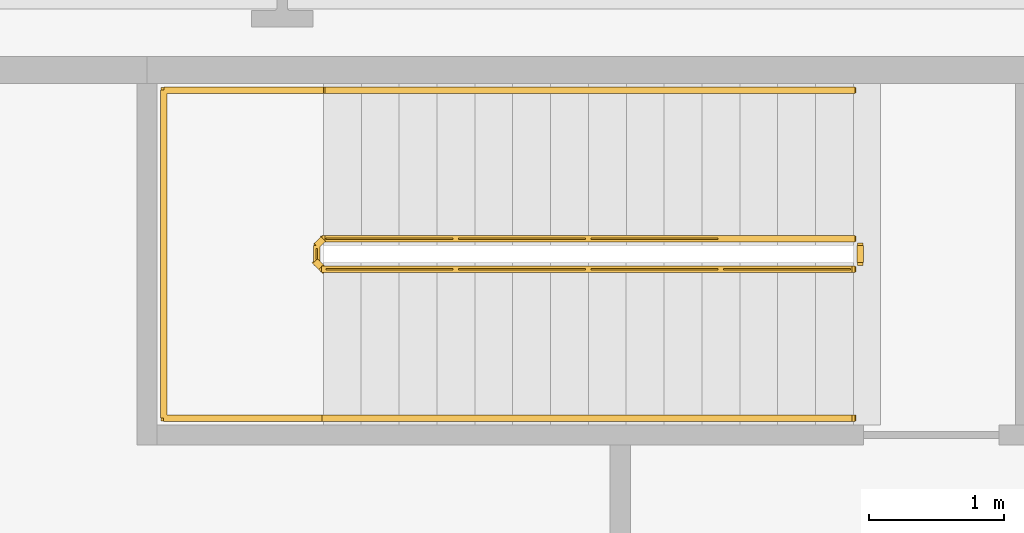
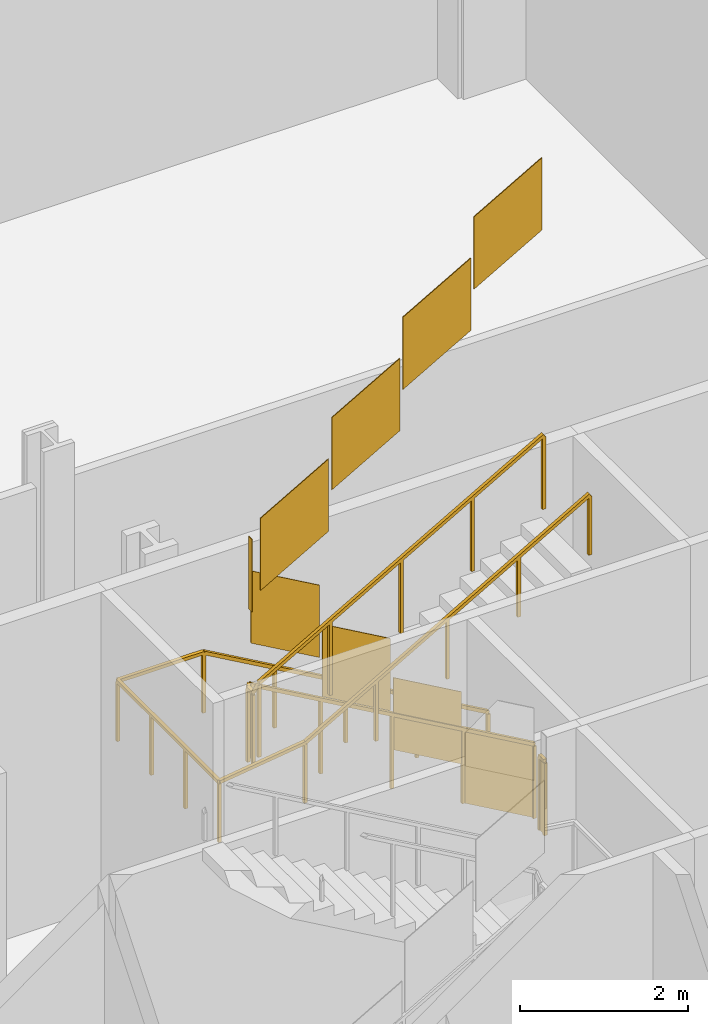
# One storey, part 23 of 25: 3 railings.
"""IFC4 building model written with IfcOpenShell, lengths in metres."""

from ifc_helpers import new_model, si_unit, direction, frame, origin, origin_2d, place, context, subcontext, project, spatial, polyline, rectangle, outline, extrude, material, type_object, element, save


model = new_model("IFC4")

# Units and contexts
model_context = context("Model", 3, precision=1e-05, world=origin(), true_north=direction((0.0, 1.0)))
body_context = subcontext(model_context, "Body", "Model", "MODEL_VIEW")
ifc_project = project(units=[si_unit("LENGTHUNIT", "METRE"), si_unit("AREAUNIT", "SQUARE_METRE"), si_unit("VOLUMEUNIT", "CUBIC_METRE"), si_unit("PLANEANGLEUNIT", "RADIAN"), si_unit("MASSUNIT", "GRAM", prefix="KILO")], contexts=[model_context])

# Site, building, storey
site_placement = place(None, origin())
site = spatial("IfcSite", under=ifc_project, at=site_placement, CompositionType="ELEMENT")
building_placement = place(site_placement, origin())
building = spatial("IfcBuilding", under=site, at=building_placement, Name="Cairn Pilgrim Tower", CompositionType="ELEMENT")
storey_placement = place(building_placement, frame((0.0, 0.0, 30.60009765625)))
storey = spatial("IfcBuildingStorey", under=building, at=storey_placement, Name="L05", CompositionType="ELEMENT", Elevation=30.60009765625)

# Railings
ifc_material = material(Name="Painted steel", Category="steel")
railing_type_1 = type_object("IfcRailingType", Name="STAIR GUARD 1100", PredefinedType="GUARDRAIL", material=ifc_material)
railing_1_placement = place(storey_placement, frame((11.425048828125, 8.949951171875, 0.159912109375)))
element("IfcRailing", 1, at=railing_1_placement, inside=storey, type_object=railing_type_1, Name="L05 ST-C stair guard 1", PredefinedType="GUARDRAIL", context=body_context, shape_type="SweptSolid", body=[
    extrude(rectangle(XDim=0.048095703125, YDim=0.048095703125, at=origin_2d()), frame((0.0, 0.0, 1.076171875), z_axis=(-0.86825312469, 0.0, 0.496121468458), x_axis=(0.0, -1.0, 0.0)), (0.0, 0.0, 1.0), 4.514892578125),
    extrude(rectangle(XDim=0.048095703125, YDim=0.048095703125, at=origin_2d()), frame((-3.920166015625, 0.0, 3.31591796875), z_axis=(-0.705375805398, -0.708833529934, 0.0), x_axis=(0.708833529934, -0.705375805398, 0.0)), (0.0, 0.0, 1.0), 0.070556640625),
    extrude(rectangle(XDim=0.048095703125, YDim=0.048095703125, at=origin_2d()), frame((-3.969970703125, -0.050048828125, 3.31591796875), z_axis=(0.0, -1.0, 0.0), x_axis=(1.0, 0.0, 0.0)), (0.0, 0.0, 1.0), 0.125),
    extrude(rectangle(XDim=0.048095703125, YDim=0.048095703125, at=origin_2d()), frame((-3.969970703125, -0.175048828125, 3.31591796875), z_axis=(0.285027140974, -0.285027140974, 0.915160673224), x_axis=(0.707106781187, 0.707106781187, 0.0)), (0.0, 0.0, 1.0), 0.1748046875),
    extrude(rectangle(XDim=0.048095703125, YDim=0.048095703125, at=origin_2d()), frame((-3.920166015625, -0.224853515625, 3.47607421875), z_axis=(0.86825312469, 0.0, 0.496121468458), x_axis=(0.0, 1.0, 0.0)), (0.0, 0.0, 1.0), 4.514892578125),
    extrude(rectangle(XDim=0.0419921875, YDim=0.0419921875, at=origin_2d()), origin(), (0.0, 0.0, 1.0), 1.052001953125),
    extrude(rectangle(XDim=0.0419921875, YDim=0.0419921875, at=origin_2d()), frame((-0.97998046875, 0.0, 0.56005859375)), (0.0, 0.0, 1.0), 1.052001953125),
    extrude(rectangle(XDim=0.0419921875, YDim=0.0419921875, at=origin_2d()), frame((-1.9599609375, 0.0, 1.1201171875)), (0.0, 0.0, 1.0), 1.052001953125),
    extrude(rectangle(XDim=0.0419921875, YDim=0.0419921875, at=origin_2d()), frame((-2.940185546875, 0.0, 1.679931640625)), (0.0, 0.0, 1.0), 1.052001953125),
    extrude(rectangle(XDim=0.0419921875, YDim=0.0419921875, at=origin_2d()), frame((-3.920166015625, 0.0, 2.239990234375)), (0.0, 0.0, 1.0), 1.052001953125),
    extrude(rectangle(XDim=0.0419921875, YDim=0.0419921875, at=origin_2d()), frame((-3.969970703125, -0.050048828125, 2.239990234375)), (0.0, 0.0, 1.0), 1.052001953125),
    extrude(rectangle(XDim=0.0419921875, YDim=0.0419921875, at=origin_2d()), frame((-3.969970703125, -0.175048828125, 2.239990234375)), (0.0, 0.0, 1.0), 1.052001953125),
    extrude(rectangle(XDim=0.0419921875, YDim=0.0419921875, at=origin_2d()), frame((-3.920166015625, -0.224853515625, 2.39990234375)), (0.0, 0.0, 1.0), 1.052001953125),
    extrude(rectangle(XDim=0.0419921875, YDim=0.0419921875, at=origin_2d()), frame((-2.940185546875, -0.224853515625, 2.9599609375)), (0.0, 0.0, 1.0), 1.052001953125),
    extrude(rectangle(XDim=0.0419921875, YDim=0.0419921875, at=origin_2d()), frame((-1.9599609375, -0.224853515625, 3.52001953125)), (0.0, 0.0, 1.0), 1.052001953125),
    extrude(rectangle(XDim=0.0419921875, YDim=0.0419921875, at=origin_2d()), frame((-0.97998046875, -0.224853515625, 4.079833984375)), (0.0, 0.0, 1.0), 1.052001953125),
    extrude(rectangle(XDim=0.0419921875, YDim=0.0419921875, at=origin_2d()), frame((0.0, -0.224853515625, 4.639892578125)), (0.0, 0.0, 1.0), 1.052001953125),
    extrude(outline(polyline([(0.02099609375, 0.011962890625), (0.958984375, 0.548095703125), (0.958984375, 1.60009765625), (0.02099609375, 1.06396484375), (0.02099609375, 0.011962890625)])), frame((0.0, -0.005859375, 0.0), z_axis=(0.0, 1.0, 0.0), x_axis=(-1.0, 0.0, 0.0)), (0.0, 0.0, 1.0), 0.011962890625),
    extrude(outline(polyline([(0.02099609375, 0.572021484375), (0.958984375, 1.10791015625), (0.958984375, 2.159912109375), (0.02099609375, 1.6240234375), (0.02099609375, 0.572021484375)])), frame((-0.97998046875, -0.005859375, 0.56005859375), z_axis=(0.0, 1.0, 0.0), x_axis=(-1.0, 0.0, 0.0)), (0.0, 0.0, 1.0), 0.011962890625),
    extrude(outline(polyline([(0.02099609375, 1.132080078125), (0.958984375, 1.66796875), (0.958984375, 2.719970703125), (0.02099609375, 2.18408203125), (0.02099609375, 1.132080078125)])), frame((-1.9599609375, -0.005859375, 1.1201171875), z_axis=(0.0, 1.0, 0.0), x_axis=(-1.0, 0.0, 0.0)), (0.0, 0.0, 1.0), 0.011962890625),
    extrude(outline(polyline([(0.02099609375, 1.69189453125), (0.958984375, 2.22802734375), (0.958984375, 3.280029296875), (0.02099609375, 2.743896484375), (0.02099609375, 1.69189453125)])), frame((-2.940185546875, -0.005859375, 1.679931640625), z_axis=(0.0, 1.0, 0.0), x_axis=(-1.0, 0.0, 0.0)), (0.0, 0.0, 1.0), 0.011962890625),
    extrude(outline(polyline([(0.02099609375, 2.239990234375), (0.10400390625, 2.239990234375), (0.10400390625, 3.2919921875), (0.02099609375, 3.2919921875), (0.02099609375, 2.239990234375)])), frame((-3.9638671875, -0.050048828125, 2.239990234375), z_axis=(-1.0, 0.0, 0.0), x_axis=(0.0, -1.0, 0.0)), (0.0, 0.0, 1.0), 0.011962890625),
    extrude(outline(polyline([(0.02099609375, 2.411865234375), (0.958984375, 2.947998046875), (0.958984375, 4.0), (0.02099609375, 3.4638671875), (0.02099609375, 2.411865234375)])), frame((-3.920166015625, -0.21875, 2.39990234375), z_axis=(0.0, -1.0, 0.0), x_axis=(1.0, 0.0, 0.0)), (0.0, 0.0, 1.0), 0.011962890625),
    extrude(outline(polyline([(0.02099609375, 2.971923828125), (0.958984375, 3.5078125), (0.958984375, 4.559814453125), (0.02099609375, 4.02392578125), (0.02099609375, 2.971923828125)])), frame((-2.940185546875, -0.21875, 2.9599609375), z_axis=(0.0, -1.0, 0.0), x_axis=(1.0, 0.0, 0.0)), (0.0, 0.0, 1.0), 0.011962890625),
    extrude(outline(polyline([(0.02099609375, 3.531982421875), (0.958984375, 4.06787109375), (0.958984375, 5.119873046875), (0.02099609375, 4.583984375), (0.02099609375, 3.531982421875)])), frame((-1.9599609375, -0.21875, 3.52001953125), z_axis=(0.0, -1.0, 0.0), x_axis=(1.0, 0.0, 0.0)), (0.0, 0.0, 1.0), 0.011962890625),
    extrude(outline(polyline([(0.02099609375, 4.091796875), (0.958984375, 4.6279296875), (0.958984375, 5.679931640625), (0.02099609375, 5.143798828125), (0.02099609375, 4.091796875)])), frame((-0.97998046875, -0.21875, 4.079833984375), z_axis=(0.0, -1.0, 0.0), x_axis=(1.0, 0.0, 0.0)), (0.0, 0.0, 1.0), 0.011962890625),
])
railing_2_placement = place(storey_placement, frame((11.47509765625, 8.89990234375, 0.0)))
element("IfcRailing", 2, at=railing_2_placement, inside=storey, type_object=railing_type_1, Name="L05 ST-C stair guard 2", PredefinedType="GUARDRAIL", context=body_context, shape_type="SweptSolid", body=[
    extrude(rectangle(XDim=0.048095703125, YDim=0.048095703125, at=origin_2d()), frame((0.0, 0.0, 1.076171875), z_axis=(0.0, -1.0, 0.0), x_axis=(1.0, 0.0, 0.0)), (0.0, 0.0, 1.0), 0.125),
    extrude(rectangle(XDim=0.0419921875, YDim=0.0419921875, at=origin_2d()), origin(), (0.0, 0.0, 1.0), 1.052001953125),
    extrude(rectangle(XDim=0.0419921875, YDim=0.0419921875, at=origin_2d()), frame((0.0, -0.125, 0.0)), (0.0, 0.0, 1.0), 1.052001953125),
    extrude(outline(polyline([(0.02099609375, 0.0), (0.10400390625, 0.0), (0.10400390625, 1.052001953125), (0.02099609375, 1.052001953125), (0.02099609375, 0.0)])), frame((0.005859375, 0.0, 0.0), z_axis=(-1.0, 0.0, 0.0), x_axis=(0.0, -1.0, 0.0)), (0.0, 0.0, 1.0), 0.011962890625),
])
railing_type_2 = type_object("IfcRailingType", Name="STAIR HANDRAIL 900", PredefinedType="HANDRAIL", material=ifc_material)
railing_3_placement = place(storey_placement, frame((11.425048828125, 10.050048828125, 0.159912109375)))
element("IfcRailing", 3, at=railing_3_placement, inside=storey, type_object=railing_type_2, Name="L05 ST-C stair handrail 1", PredefinedType="HANDRAIL", context=body_context, shape_type="SweptSolid", body=[
    extrude(rectangle(XDim=0.048095703125, YDim=0.048095703125, at=origin_2d()), frame((0.0, 0.0, 0.8759765625), z_axis=(-0.86825312469, 0.0, 0.496121468458), x_axis=(0.0, -1.0, 0.0)), (0.0, 0.0, 1.0), 4.514892578125),
    extrude(rectangle(XDim=0.048095703125, YDim=0.048095703125, at=origin_2d()), frame((-3.920166015625, 0.0, 3.11572265625), z_axis=(-1.0, 0.0, 0.0), x_axis=(0.0, -1.0, 0.0)), (0.0, 0.0, 1.0), 1.179931640625),
    extrude(rectangle(XDim=0.048095703125, YDim=0.048095703125, at=origin_2d()), frame((-5.10009765625, 0.0, 3.11572265625), z_axis=(0.0, -1.0, 0.0), x_axis=(1.0, 0.0, 0.0)), (0.0, 0.0, 1.0), 2.425048828125),
    extrude(rectangle(XDim=0.048095703125, YDim=0.048095703125, at=origin_2d()), frame((-5.10009765625, -2.425048828125, 3.11572265625), z_axis=(0.990940877464, 0.0, 0.134298836073), x_axis=(0.0, 1.0, 0.0)), (0.0, 0.0, 1.0), 1.190673828125),
    extrude(rectangle(XDim=0.048095703125, YDim=0.048095703125, at=origin_2d()), frame((-3.920166015625, -2.425048828125, 3.27587890625), z_axis=(0.86825312469, 0.0, 0.496121468458), x_axis=(0.0, 1.0, 0.0)), (0.0, 0.0, 1.0), 4.514892578125),
    extrude(rectangle(XDim=0.0419921875, YDim=0.0419921875, at=origin_2d()), origin(), (0.0, 0.0, 1.0), 0.851806640625),
    extrude(rectangle(XDim=0.0419921875, YDim=0.0419921875, at=origin_2d()), frame((-0.97998046875, 0.0, 0.56005859375)), (0.0, 0.0, 1.0), 0.851806640625),
    extrude(rectangle(XDim=0.0419921875, YDim=0.0419921875, at=origin_2d()), frame((-1.9599609375, 0.0, 1.1201171875)), (0.0, 0.0, 1.0), 0.851806640625),
    extrude(rectangle(XDim=0.0419921875, YDim=0.0419921875, at=origin_2d()), frame((-2.940185546875, 0.0, 1.679931640625)), (0.0, 0.0, 1.0), 0.851806640625),
    extrude(rectangle(XDim=0.0419921875, YDim=0.0419921875, at=origin_2d()), frame((-3.920166015625, 0.0, 2.239990234375)), (0.0, 0.0, 1.0), 0.851806640625),
    extrude(rectangle(XDim=0.0419921875, YDim=0.0419921875, at=origin_2d()), frame((-5.10009765625, 0.0, 2.239990234375)), (0.0, 0.0, 1.0), 0.851806640625),
    extrude(rectangle(XDim=0.0419921875, YDim=0.0419921875, at=origin_2d()), frame((-5.10009765625, -0.808349609375, 2.239990234375)), (0.0, 0.0, 1.0), 0.851806640625),
    extrude(rectangle(XDim=0.0419921875, YDim=0.0419921875, at=origin_2d()), frame((-5.10009765625, -1.61669921875, 2.239990234375)), (0.0, 0.0, 1.0), 0.851806640625),
    extrude(rectangle(XDim=0.0419921875, YDim=0.0419921875, at=origin_2d()), frame((-5.10009765625, -2.425048828125, 2.239990234375)), (0.0, 0.0, 1.0), 0.851806640625),
    extrude(rectangle(XDim=0.0419921875, YDim=0.0419921875, at=origin_2d()), frame((-3.920166015625, -2.425048828125, 2.39990234375)), (0.0, 0.0, 1.0), 0.851806640625),
    extrude(rectangle(XDim=0.0419921875, YDim=0.0419921875, at=origin_2d()), frame((-2.940185546875, -2.425048828125, 2.9599609375)), (0.0, 0.0, 1.0), 0.851806640625),
    extrude(rectangle(XDim=0.0419921875, YDim=0.0419921875, at=origin_2d()), frame((-1.9599609375, -2.425048828125, 3.52001953125)), (0.0, 0.0, 1.0), 0.851806640625),
    extrude(rectangle(XDim=0.0419921875, YDim=0.0419921875, at=origin_2d()), frame((-0.97998046875, -2.425048828125, 4.079833984375)), (0.0, 0.0, 1.0), 0.851806640625),
    extrude(rectangle(XDim=0.0419921875, YDim=0.0419921875, at=origin_2d()), frame((0.0, -2.425048828125, 4.639892578125)), (0.0, 0.0, 1.0), 0.851806640625),
])

save(model, "model.ifc")
